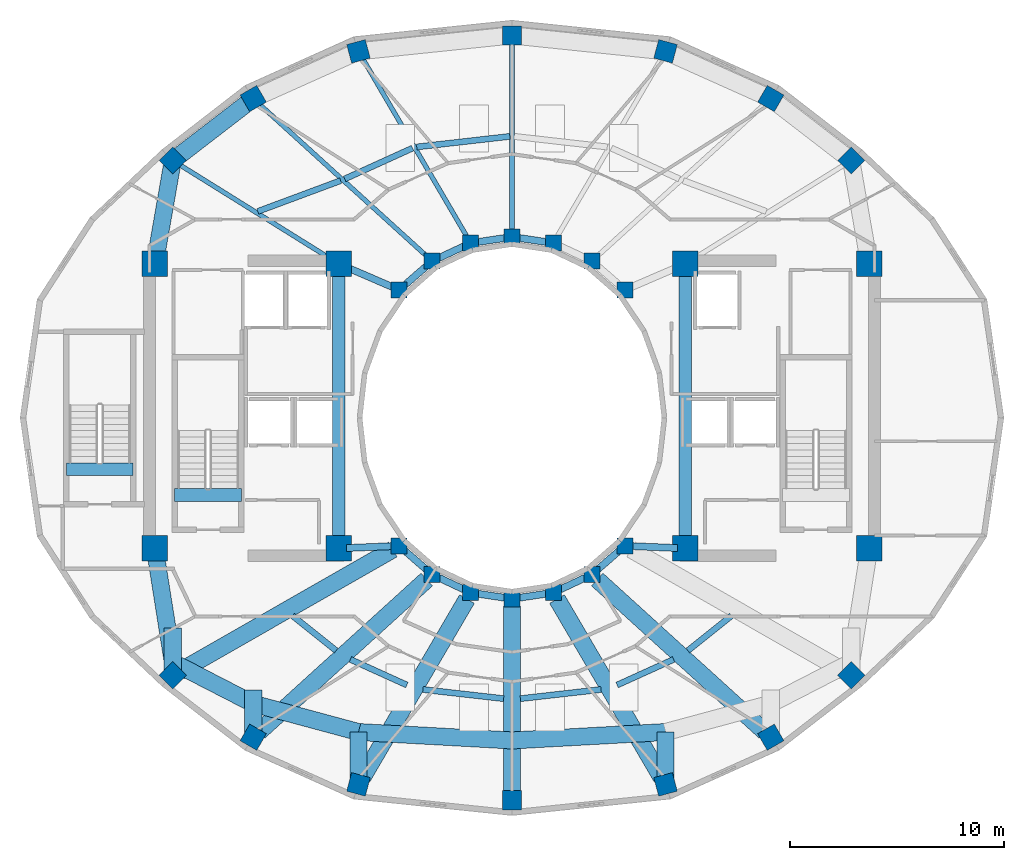
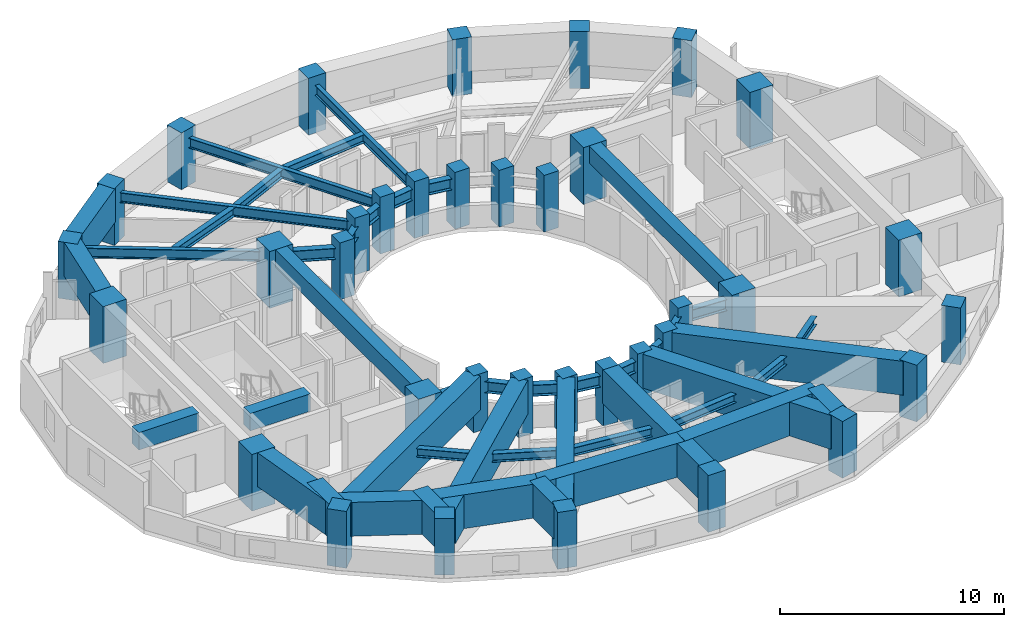
# One storey, part 1 of 9: 47 beams, 36 columns.
"""IFC4 building model written with IfcOpenShell, lengths in metres."""

from ifc_helpers import new_model, si_unit, direction, frame, origin, origin_2d, place, context, subcontext, project, spatial, rectangle, i_section, extrude, material, material_profile, profile_set, type_object, element, save


model = new_model("IFC4")

# Units and contexts
model_context = context("Model", 3, precision=1e-05, world=origin(), true_north=direction((0.0, 1.0)))
body_context = subcontext(model_context, "Body", "Model", "MODEL_VIEW")
ifc_project = project(units=[si_unit("LENGTHUNIT", "METRE"), si_unit("AREAUNIT", "SQUARE_METRE"), si_unit("VOLUMEUNIT", "CUBIC_METRE"), si_unit("PLANEANGLEUNIT", "RADIAN"), si_unit("MASSUNIT", "GRAM", prefix="KILO")], contexts=[model_context])

# Site, building, storey
site_placement = place(None, origin())
site = spatial("IfcSite", under=ifc_project, at=site_placement, CompositionType="ELEMENT")
building_placement = place(site_placement, origin())
building = spatial("IfcBuilding", under=site, at=building_placement, Name="Solvane Sanctuary Tower", CompositionType="ELEMENT")
storey_placement = place(building_placement, frame((0.0, 0.0, 187.0)))
storey = spatial("IfcBuildingStorey", under=building, at=storey_placement, Name="L57", CompositionType="ELEMENT", Elevation=187.0)

# Columns
ifc_material_1 = material(Name="Concrete C50/60", Category="concrete")
ifc_material_profile_1 = material_profile(ifc_material_1, rectangle(XDim=0.75, YDim=0.75, at=origin_2d()), Name="RC750X750")
ifc_profile_set_1 = profile_set([ifc_material_profile_1], Name="Concrete C50/60")
column_type_1 = type_object("IfcColumnType", Name="Column C-RING-Z3 RC750X750", PredefinedType="COLUMN", material=ifc_profile_set_1)
for number, where, z_axis, x_axis, name in (
    (1, (37.27490234375, 28.982177734375, 0.0), (0.0, 0.0, 1.0), (1.0, 0.0, 0.0), "L57 Inner Light-Well Ring Column IC01"),
    (2, (35.72998046875, 30.32666015625, 0.0), (0.0, 0.0, 1.0), (1.0, 0.0, 0.0), "L57 Inner Light-Well Ring Column IC02"),
    (3, (33.930908203125, 31.171630859375, 0.0), (0.0, 0.0, 1.0), (1.0, 0.0, 0.0), "L57 Inner Light-Well Ring Column IC03"),
    (4, (32.0, 31.4599609375, 0.0), (0.0, 0.0, 1.0), (1.0, 0.0, 0.0), "L57 Inner Light-Well Ring Column IC04"),
    (5, (30.069091796875, 31.171630859375, 0.0), (0.0, 0.0, 1.0), (1.0, 0.0, 0.0), "L57 Inner Light-Well Ring Column IC05"),
    (6, (28.27001953125, 30.32666015625, 0.0), (0.0, 0.0, 1.0), (1.0, 0.0, 0.0), "L57 Inner Light-Well Ring Column IC06"),
    (7, (26.72509765625, 28.982177734375, 0.0), (0.0, 0.0, 1.0), (1.0, 0.0, 0.0), "L57 Inner Light-Well Ring Column IC07"),
    (8, (26.72509765625, 17.017822265625, 0.0), (0.0, 0.0, 1.0), (1.0, 0.0, 0.0), "L57 Inner Light-Well Ring Column IC08"),
    (9, (28.27001953125, 15.67333984375, 0.0), (0.0, 0.0, 1.0), (1.0, 0.0, 0.0), "L57 Inner Light-Well Ring Column IC09"),
    (10, (30.069091796875, 14.828369140625, 0.0), (0.0, 0.0, 1.0), (1.0, 0.0, 0.0), "L57 Inner Light-Well Ring Column IC10"),
    (11, (32.0, 14.5400390625, 0.0), (0.0, 0.0, 1.0), (1.0, 0.0, 0.0), "L57 Inner Light-Well Ring Column IC11"),
    (12, (33.930908203125, 14.828369140625, 0.0), (0.0, 0.0, 1.0), (1.0, 0.0, 0.0), "L57 Inner Light-Well Ring Column IC12"),
    (13, (35.72998046875, 15.67333984375, 0.0), (0.0, 0.0, 1.0), (1.0, 0.0, 0.0), "L57 Inner Light-Well Ring Column IC13"),
    (14, (37.27490234375, 17.017822265625, 0.0), (0.0, 0.0, 1.0), (1.0, 0.0, 0.0), "L57 Inner Light-Well Ring Column IC14"),
):
    element("IfcColumn", number, at=place(storey_placement, frame(where, z_axis=z_axis, x_axis=x_axis)), inside=storey, type_object=column_type_1, Name=name, PredefinedType="COLUMN", context=body_context, shape_type="SweptSolid", body=[
        extrude(rectangle(XDim=0.75, YDim=0.75, at=origin_2d()), origin(), (0.0, 0.0, 1.0), 3.10009765625),
    ])
ifc_material_2 = material(Name="Concrete C70/85", Category="concrete")
ifc_material_profile_2 = material_profile(ifc_material_2, rectangle(XDim=1.199951171875, YDim=1.199951171875, at=origin_2d()), Name="RC1200X1200")
ifc_profile_set_2 = profile_set([ifc_material_profile_2], Name="Concrete C70/85")
column_type_2 = type_object("IfcColumnType", Name="Column C-TUBE-Z1 RC1200X1200", PredefinedType="COLUMN", material=ifc_profile_set_2)
for number, where, z_axis, x_axis, name in (
    (15, (15.300048828125, 16.89990234375, 0.0), (0.0, 0.0, 1.0), (1.0, 0.0, 0.0), "L57 Core Corner Column CW1"),
    (16, (23.89990234375, 16.89990234375, 0.0), (0.0, 0.0, 1.0), (1.0, 0.0, 0.0), "L57 Core Corner Column CW2"),
    (17, (23.89990234375, 30.199951171875, 0.0), (0.0, 0.0, 1.0), (1.0, 0.0, 0.0), "L57 Core Corner Column CW3"),
    (18, (15.300048828125, 30.199951171875, 0.0), (0.0, 0.0, 1.0), (1.0, 0.0, 0.0), "L57 Core Corner Column CW4"),
    (19, (40.10009765625, 16.89990234375, 0.0), (0.0, 0.0, 1.0), (1.0, 0.0, 0.0), "L57 Core Corner Column CE1"),
    (20, (48.699951171875, 16.89990234375, 0.0), (0.0, 0.0, 1.0), (1.0, 0.0, 0.0), "L57 Core Corner Column CE2"),
    (21, (48.699951171875, 30.199951171875, 0.0), (0.0, 0.0, 1.0), (1.0, 0.0, 0.0), "L57 Core Corner Column CE3"),
    (22, (40.10009765625, 30.199951171875, 0.0), (0.0, 0.0, 1.0), (1.0, 0.0, 0.0), "L57 Core Corner Column CE4"),
):
    element("IfcColumn", number, at=place(storey_placement, frame(where, z_axis=z_axis, x_axis=x_axis)), inside=storey, type_object=column_type_2, Name=name, PredefinedType="COLUMN", context=body_context, shape_type="SweptSolid", body=[
        extrude(rectangle(XDim=1.199951171875, YDim=1.199951171875, at=origin_2d()), origin(), (0.0, 0.0, 1.0), 3.10009765625),
    ])
ifc_material_3 = material(Name="Concrete C60/75", Category="concrete")
ifc_material_profile_3 = material_profile(ifc_material_3, rectangle(XDim=0.89990234375, YDim=0.89990234375, at=origin_2d()), Name="RC900X900")
ifc_profile_set_3 = profile_set([ifc_material_profile_3], Name="Concrete C60/75")
column_type_3 = type_object("IfcColumnType", Name="Column C-TUBE-Z3 RC900X900", PredefinedType="COLUMN", material=ifc_profile_set_3)
for number, where, z_axis, x_axis, name in (
    (23, (47.856689453125, 35.031005859375, 0.0), (0.0, 0.0, 1.0), (0.707106781187, 0.707106781187, 0.0), "L57 Perimeter Tube Column TC01"),
    (24, (44.09814453125, 37.927978515625, 0.0), (0.0, 0.0, 1.0), (0.5, 0.866025403784, 0.0), "L57 Perimeter Tube Column TC02"),
    (25, (39.17822265625, 40.134521484375, 0.0), (0.0, 0.0, 1.0), (0.258819045103, 0.965925826289, 0.0), "L57 Perimeter Tube Column TC03"),
    (26, (32.0, 40.8798828125, 0.0), (0.0, 0.0, 1.0), (0.0, 1.0, 0.0), "L57 Perimeter Tube Column TC04"),
    (27, (24.82177734375, 40.134521484375, 0.0), (0.0, 0.0, 1.0), (-0.258819045103, 0.965925826289, 0.0), "L57 Perimeter Tube Column TC05"),
    (28, (19.90185546875, 37.927978515625, 0.0), (0.0, 0.0, 1.0), (-0.5, 0.866025403784, 0.0), "L57 Perimeter Tube Column TC06"),
    (29, (16.143310546875, 35.031005859375, 0.0), (0.0, 0.0, 1.0), (-0.707106781187, 0.707106781187, 0.0), "L57 Perimeter Tube Column TC07"),
    (30, (16.143310546875, 10.968994140625, 0.0), (0.0, 0.0, 1.0), (-0.707106781187, -0.707106781187, 0.0), "L57 Perimeter Tube Column TC08"),
    (31, (19.90185546875, 8.072021484375, 0.0), (0.0, 0.0, 1.0), (-0.5, -0.866025403784, 0.0), "L57 Perimeter Tube Column TC09"),
    (32, (24.82177734375, 5.865478515625, 0.0), (0.0, 0.0, 1.0), (-0.258819045103, -0.965925826289, 0.0), "L57 Perimeter Tube Column TC10"),
    (33, (32.0, 5.1201171875, 0.0), (0.0, 0.0, 1.0), (0.0, -1.0, 0.0), "L57 Perimeter Tube Column TC11"),
    (34, (39.17822265625, 5.865478515625, 0.0), (0.0, 0.0, 1.0), (0.258819045103, -0.965925826289, 0.0), "L57 Perimeter Tube Column TC12"),
    (35, (44.09814453125, 8.072021484375, 0.0), (0.0, 0.0, 1.0), (0.5, -0.866025403784, 0.0), "L57 Perimeter Tube Column TC13"),
    (36, (47.856689453125, 10.968994140625, 0.0), (0.0, 0.0, 1.0), (0.707106781187, -0.707106781187, 0.0), "L57 Perimeter Tube Column TC14"),
):
    element("IfcColumn", number, at=place(storey_placement, frame(where, z_axis=z_axis, x_axis=x_axis)), inside=storey, type_object=column_type_3, Name=name, PredefinedType="COLUMN", context=body_context, shape_type="SweptSolid", body=[
        extrude(rectangle(XDim=0.89990234375, YDim=0.89990234375, at=origin_2d()), origin(), (0.0, 0.0, 1.0), 3.10009765625),
    ])

# Beams
ifc_material_profile_4 = material_profile(ifc_material_2, rectangle(XDim=0.60009765625, YDim=0.949951171875, at=origin_2d()), Name="RC600X950")
ifc_profile_set_4 = profile_set([ifc_material_profile_4], Name="Concrete C70/85")
beam_type_1 = type_object("IfcBeamType", Name="Beam B-COUPLE RC600X950", PredefinedType="LINTEL", material=ifc_profile_set_4)
for number, where, z_axis, x_axis, name in (
    (37, (23.89990234375, 17.35009765625, 2.625), (0.0, 1.0, 0.0), (-1.0, 0.0, 0.0), "L57 West Core Coupling Lintel"),
    (38, (40.10009765625, 17.35009765625, 2.625), (0.0, 1.0, 0.0), (-1.0, 0.0, 0.0), "L57 East Core Coupling Lintel"),
):
    element("IfcBeam", number, at=place(storey_placement, frame(where, z_axis=z_axis, x_axis=x_axis)), inside=storey, type_object=beam_type_1, Name=name, PredefinedType="LINTEL", context=body_context, shape_type="SweptSolid", body=[
        extrude(rectangle(XDim=0.60009765625, YDim=0.949951171875, at=origin_2d()), origin(), (0.0, 0.0, 1.0), 12.39990234375),
    ])
for number, where, z_axis, x_axis, name in (
    (39, (16.22998046875, 19.399169921875, 2.625), (1.0, 0.0, 0.0), (0.0, 1.0, 0.0), "L57 ST-1 Stair Floor Landing Trimmer"),
    (40, (11.169921875, 20.59912109375, 2.625), (1.0, 0.0, 0.0), (0.0, 1.0, 0.0), "L57 ST-3 Stair Floor Landing Trimmer"),
):
    element("IfcBeam", number, at=place(storey_placement, frame(where, z_axis=z_axis, x_axis=x_axis)), inside=storey, type_object=beam_type_1, Name=name, PredefinedType="LINTEL", context=body_context, shape_type="SweptSolid", body=[
        extrude(rectangle(XDim=0.60009765625, YDim=0.949951171875, at=origin_2d()), origin(), (0.0, 0.0, 1.0), 3.1201171875),
    ])
ifc_material_4 = material(Name="Steel ASTM A992 Grade 50", Category="steel")
ifc_material_profile_5 = material_profile(ifc_material_4, i_section(OverallWidth=0.214111328125, OverallDepth=0.549072265625, WebThickness=0.0146484375, FlangeThickness=0.023681640625, FilletRadius=0.014892578125, at=origin_2d()), Name="W21X93")
ifc_profile_set_5 = profile_set([ifc_material_profile_5], Name="Steel ASTM A992 Grade 50")
beam_type_2 = type_object("IfcBeamType", Name="Beam B-RAD-Z3 W21X93", PredefinedType="JOIST", material=ifc_profile_set_5)
beam_1_placement = place(storey_placement, frame((32.0, 31.739990234375, 2.323486328125), z_axis=(0.0, 1.0, 0.0), x_axis=(-1.0, 0.0, 0.0)))
element("IfcBeam", 41, at=beam_1_placement, inside=storey, type_object=beam_type_2, Name="L57 Radial Composite Floor Beam 04", PredefinedType="JOIST", context=body_context, shape_type="SweptSolid", body=[
    extrude(i_section(OverallWidth=0.214111328125, OverallDepth=0.549072265625, WebThickness=0.0146484375, FlangeThickness=0.023681640625, FilletRadius=0.014892578125, at=origin_2d()), origin(), (0.0, 0.0, 1.0), 8.860107421875),
])
beam_2_placement = place(storey_placement, frame((29.927734375, 31.413330078125, 2.323486328125), z_axis=(-0.505243742555, 0.862976686017, 0.0), x_axis=(-0.862976686017, -0.505243742555, 0.0)))
element("IfcBeam", 42, at=beam_2_placement, inside=storey, type_object=beam_type_2, Name="L57 Radial Composite Floor Beam 05", PredefinedType="JOIST", context=body_context, shape_type="SweptSolid", body=[
    extrude(i_section(OverallWidth=0.214111328125, OverallDepth=0.549072265625, WebThickness=0.0146484375, FlangeThickness=0.023681640625, FilletRadius=0.014892578125, at=origin_2d()), origin(), (0.0, 0.0, 1.0), 9.826171875),
])
beam_3_placement = place(storey_placement, frame((28.062744140625, 30.514892578125, 2.323486328125), z_axis=(-0.74020423772, 0.672382098558, 0.0), x_axis=(-0.672382098558, -0.74020423772, 0.0)))
element("IfcBeam", 43, at=beam_3_placement, inside=storey, type_object=beam_type_2, Name="L57 Radial Composite Floor Beam 06", PredefinedType="JOIST", context=body_context, shape_type="SweptSolid", body=[
    extrude(i_section(OverallWidth=0.214111328125, OverallDepth=0.549072265625, WebThickness=0.0146484375, FlangeThickness=0.023681640625, FilletRadius=0.014892578125, at=origin_2d()), origin(), (0.0, 0.0, 1.0), 10.7451171875),
])
beam_4_placement = place(storey_placement, frame((23.594482421875, 30.390380859375, 2.323486328125), z_axis=(-0.84882685523, 0.528670946658, 0.0), x_axis=(-0.528670946658, -0.84882685523, 0.0)))
element("IfcBeam", 44, at=beam_4_placement, inside=storey, type_object=beam_type_2, Name="L57 Radial Composite Floor Beam 07", PredefinedType="JOIST", context=body_context, shape_type="SweptSolid", body=[
    extrude(i_section(OverallWidth=0.214111328125, OverallDepth=0.549072265625, WebThickness=0.0146484375, FlangeThickness=0.023681640625, FilletRadius=0.014892578125, at=origin_2d()), origin(), (0.0, 0.0, 1.0), 8.498046875),
])
ifc_material_profile_6 = material_profile(ifc_material_4, i_section(OverallWidth=0.324951171875, OverallDepth=0.615966796875, WebThickness=0.013916015625, FlangeThickness=0.021484375, FilletRadius=0.01611328125, at=origin_2d()), Name="W24X117")
ifc_profile_set_6 = profile_set([ifc_material_profile_6], Name="Steel ASTM A992 Grade 50")
beam_type_3 = type_object("IfcBeamType", Name="Beam B-RING-IN2 W24X117", PredefinedType="BEAM", material=ifc_profile_set_6)
beam_5_placement = place(storey_placement, frame((24.230712890625, 30.0576171875, 2.2900390625), z_axis=(0.918264067649, -0.395968561966, 0.0), x_axis=(0.395968561966, 0.918264067649, 0.0)))
element("IfcBeam", 45, at=beam_5_placement, inside=storey, type_object=beam_type_3, Name="L57 Inner Light-Well Ring Beam CW3-IC07", PredefinedType="BEAM", context=body_context, shape_type="SweptSolid", body=[
    extrude(i_section(OverallWidth=0.324951171875, OverallDepth=0.615966796875, WebThickness=0.013916015625, FlangeThickness=0.021484375, FilletRadius=0.01611328125, at=origin_2d()), origin(), (0.0, 0.0, 1.0), 2.371337890625),
])
beam_6_placement = place(storey_placement, frame((26.9853515625, 29.20849609375, 2.2900390625), z_axis=(0.754311313851, 0.656516901379, 0.0), x_axis=(-0.656516901379, 0.754311313851, 0.0)))
element("IfcBeam", 46, at=beam_6_placement, inside=storey, type_object=beam_type_3, Name="L57 Inner Light-Well Ring Beam IC07-IC06", PredefinedType="BEAM", context=body_context, shape_type="SweptSolid", body=[
    extrude(i_section(OverallWidth=0.324951171875, OverallDepth=0.615966796875, WebThickness=0.013916015625, FlangeThickness=0.021484375, FilletRadius=0.01611328125, at=origin_2d()), origin(), (0.0, 0.0, 1.0), 1.358154296875),
])
beam_7_placement = place(storey_placement, frame((28.582275390625, 30.473388671875, 2.2900390625), z_axis=(0.9051808128, 0.425026700502, 0.0), x_axis=(-0.425026700502, 0.9051808128, 0.0)))
element("IfcBeam", 47, at=beam_7_placement, inside=storey, type_object=beam_type_3, Name="L57 Inner Light-Well Ring Beam IC06-IC05", PredefinedType="BEAM", context=body_context, shape_type="SweptSolid", body=[
    extrude(i_section(OverallWidth=0.324951171875, OverallDepth=0.615966796875, WebThickness=0.013916015625, FlangeThickness=0.021484375, FilletRadius=0.01611328125, at=origin_2d()), origin(), (0.0, 0.0, 1.0), 1.297607421875),
])
for number, where, z_axis, x_axis, name in (
    (48, (30.410400390625, 31.22265625, 2.2900390625), (0.989019905763, 0.147782360259, 0.0), (-0.147782360259, 0.989019905763, 0.0), "L57 Inner Light-Well Ring Beam IC05-IC04"),
    (49, (32.34130859375, 31.4091796875, 2.2900390625), (0.989019905763, -0.147782360259, 0.0), (0.147782360259, 0.989019905763, 0.0), "L57 Inner Light-Well Ring Beam IC04-IC03"),
):
    element("IfcBeam", number, at=place(storey_placement, frame(where, z_axis=z_axis, x_axis=x_axis)), inside=storey, type_object=beam_type_3, Name=name, PredefinedType="BEAM", context=body_context, shape_type="SweptSolid", body=[
        extrude(i_section(OverallWidth=0.324951171875, OverallDepth=0.615966796875, WebThickness=0.013916015625, FlangeThickness=0.021484375, FilletRadius=0.01611328125, at=origin_2d()), origin(), (0.0, 0.0, 1.0), 1.26220703125),
    ])
beam_8_placement = place(storey_placement, frame((24.259765625, 16.9150390625, 2.2900390625), z_axis=(0.999132674336, 0.041640113759, 0.0), x_axis=(-0.041640113759, 0.999132674336, 0.0)))
element("IfcBeam", 50, at=beam_8_placement, inside=storey, type_object=beam_type_3, Name="L57 Inner Light-Well Ring Beam CW2-IC08", PredefinedType="BEAM", context=body_context, shape_type="SweptSolid", body=[
    extrude(i_section(OverallWidth=0.324951171875, OverallDepth=0.615966796875, WebThickness=0.013916015625, FlangeThickness=0.021484375, FilletRadius=0.01611328125, at=origin_2d()), origin(), (0.0, 0.0, 1.0), 2.12255859375),
])
beam_9_placement = place(storey_placement, frame((26.9853515625, 16.79150390625, 2.2900390625), z_axis=(0.754311313851, -0.656516901379, 0.0), x_axis=(0.656516901379, 0.754311313851, 0.0)))
element("IfcBeam", 51, at=beam_9_placement, inside=storey, type_object=beam_type_3, Name="L57 Inner Light-Well Ring Beam IC08-IC09", PredefinedType="BEAM", context=body_context, shape_type="SweptSolid", body=[
    extrude(i_section(OverallWidth=0.324951171875, OverallDepth=0.615966796875, WebThickness=0.013916015625, FlangeThickness=0.021484375, FilletRadius=0.01611328125, at=origin_2d()), origin(), (0.0, 0.0, 1.0), 1.358154296875),
])
beam_10_placement = place(storey_placement, frame((28.582275390625, 15.526611328125, 2.2900390625), z_axis=(0.9051808128, -0.425026700502, 0.0), x_axis=(0.425026700502, 0.9051808128, 0.0)))
element("IfcBeam", 52, at=beam_10_placement, inside=storey, type_object=beam_type_3, Name="L57 Inner Light-Well Ring Beam IC09-IC10", PredefinedType="BEAM", context=body_context, shape_type="SweptSolid", body=[
    extrude(i_section(OverallWidth=0.324951171875, OverallDepth=0.615966796875, WebThickness=0.013916015625, FlangeThickness=0.021484375, FilletRadius=0.01611328125, at=origin_2d()), origin(), (0.0, 0.0, 1.0), 1.297607421875),
])
for number, where, z_axis, x_axis, name in (
    (53, (30.410400390625, 14.77734375, 2.2900390625), (0.989019905763, -0.147782360259, 0.0), (0.147782360259, 0.989019905763, 0.0), "L57 Inner Light-Well Ring Beam IC10-IC11"),
    (54, (32.34130859375, 14.5908203125, 2.2900390625), (0.989019905763, 0.147782360259, 0.0), (-0.147782360259, 0.989019905763, 0.0), "L57 Inner Light-Well Ring Beam IC11-IC12"),
):
    element("IfcBeam", number, at=place(storey_placement, frame(where, z_axis=z_axis, x_axis=x_axis)), inside=storey, type_object=beam_type_3, Name=name, PredefinedType="BEAM", context=body_context, shape_type="SweptSolid", body=[
        extrude(i_section(OverallWidth=0.324951171875, OverallDepth=0.615966796875, WebThickness=0.013916015625, FlangeThickness=0.021484375, FilletRadius=0.01611328125, at=origin_2d()), origin(), (0.0, 0.0, 1.0), 1.26220703125),
    ])
beam_11_placement = place(storey_placement, frame((34.2431640625, 14.97509765625, 2.2900390625), z_axis=(0.9051808128, 0.425026700502, 0.0), x_axis=(-0.425026700502, 0.9051808128, 0.0)))
element("IfcBeam", 55, at=beam_11_placement, inside=storey, type_object=beam_type_3, Name="L57 Inner Light-Well Ring Beam IC12-IC13", PredefinedType="BEAM", context=body_context, shape_type="SweptSolid", body=[
    extrude(i_section(OverallWidth=0.324951171875, OverallDepth=0.615966796875, WebThickness=0.013916015625, FlangeThickness=0.021484375, FilletRadius=0.01611328125, at=origin_2d()), origin(), (0.0, 0.0, 1.0), 1.297607421875),
])
beam_12_placement = place(storey_placement, frame((35.990234375, 15.89990234375, 2.2900390625), z_axis=(0.754311313851, 0.656516901379, 0.0), x_axis=(-0.656516901379, 0.754311313851, 0.0)))
element("IfcBeam", 56, at=beam_12_placement, inside=storey, type_object=beam_type_3, Name="L57 Inner Light-Well Ring Beam IC13-IC14", PredefinedType="BEAM", context=body_context, shape_type="SweptSolid", body=[
    extrude(i_section(OverallWidth=0.324951171875, OverallDepth=0.615966796875, WebThickness=0.013916015625, FlangeThickness=0.021484375, FilletRadius=0.01611328125, at=origin_2d()), origin(), (0.0, 0.0, 1.0), 1.358154296875),
])
beam_13_placement = place(storey_placement, frame((37.61962890625, 17.00341796875, 2.2900390625), z_axis=(0.999132674336, -0.041640113759, 0.0), x_axis=(0.041640113759, 0.999132674336, 0.0)))
element("IfcBeam", 57, at=beam_13_placement, inside=storey, type_object=beam_type_3, Name="L57 Inner Light-Well Ring Beam IC14-CE1", PredefinedType="BEAM", context=body_context, shape_type="SweptSolid", body=[
    extrude(i_section(OverallWidth=0.324951171875, OverallDepth=0.615966796875, WebThickness=0.013916015625, FlangeThickness=0.021484375, FilletRadius=0.01611328125, at=origin_2d()), origin(), (0.0, 0.0, 1.0), 2.12255859375),
])
ifc_material_profile_7 = material_profile(ifc_material_4, i_section(OverallWidth=0.280029296875, OverallDepth=0.462890625, WebThickness=0.0107421875, FlangeThickness=0.017333984375, FilletRadius=0.013916015625, at=origin_2d()), Name="W18X76")
ifc_profile_set_7 = profile_set([ifc_material_profile_7], Name="Steel ASTM A992 Grade 50")
beam_type_4 = type_object("IfcBeamType", Name="Beam B-SEC-JOIST W18X76", PredefinedType="JOIST", material=ifc_profile_set_7)
beam_14_placement = place(storey_placement, frame((20.1171875, 32.651123046875, 2.366455078125), z_axis=(0.937265401165, 0.348616648741, 0.0), x_axis=(-0.348616648741, 0.937265401165, 0.0)))
element("IfcBeam", 58, at=beam_14_placement, inside=storey, type_object=beam_type_4, Name="L57 Secondary Circumferential Joist 07-06", PredefinedType="JOIST", context=body_context, shape_type="SweptSolid", body=[
    extrude(i_section(OverallWidth=0.280029296875, OverallDepth=0.462890625, WebThickness=0.0107421875, FlangeThickness=0.017333984375, FilletRadius=0.013916015625, at=origin_2d()), origin(), (0.0, 0.0, 1.0), 4.132568359375),
])
beam_15_placement = place(storey_placement, frame((24.178955078125, 34.16943359375, 2.366455078125), z_axis=(0.910488773031, 0.413533788443, 0.0), x_axis=(-0.413533788443, 0.910488773031, 0.0)))
element("IfcBeam", 59, at=beam_15_placement, inside=storey, type_object=beam_type_4, Name="L57 Secondary Circumferential Joist 06-05", PredefinedType="JOIST", context=body_context, shape_type="SweptSolid", body=[
    extrude(i_section(OverallWidth=0.280029296875, OverallDepth=0.462890625, WebThickness=0.0107421875, FlangeThickness=0.017333984375, FilletRadius=0.013916015625, at=origin_2d()), origin(), (0.0, 0.0, 1.0), 3.485595703125),
])
beam_16_placement = place(storey_placement, frame((27.546875, 35.66455078125, 2.366455078125), z_axis=(0.993621305354, 0.112768353477, 0.0), x_axis=(-0.112768353477, 0.993621305354, 0.0)))
element("IfcBeam", 60, at=beam_16_placement, inside=storey, type_object=beam_type_4, Name="L57 Secondary Circumferential Joist 05-04", PredefinedType="JOIST", context=body_context, shape_type="SweptSolid", body=[
    extrude(i_section(OverallWidth=0.280029296875, OverallDepth=0.462890625, WebThickness=0.0107421875, FlangeThickness=0.017333984375, FilletRadius=0.013916015625, at=origin_2d()), origin(), (0.0, 0.0, 1.0), 4.379638671875),
])
beam_17_placement = place(storey_placement, frame((21.74267578125, 13.74658203125, 2.366455078125), z_axis=(0.781005915464, -0.624523626463, 0.0), x_axis=(0.624523626463, 0.781005915464, 0.0)))
element("IfcBeam", 61, at=beam_17_placement, inside=storey, type_object=beam_type_4, Name="L57 Secondary Circumferential Joist 08-09", PredefinedType="JOIST", context=body_context, shape_type="SweptSolid", body=[
    extrude(i_section(OverallWidth=0.280029296875, OverallDepth=0.462890625, WebThickness=0.0107421875, FlangeThickness=0.017333984375, FilletRadius=0.013916015625, at=origin_2d()), origin(), (0.0, 0.0, 1.0), 2.60546875),
])
beam_18_placement = place(storey_placement, frame((24.445556640625, 11.709228515625, 2.366455078125), z_axis=(0.9105221081, -0.413460385842, 0.0), x_axis=(0.413460385842, 0.9105221081, 0.0)))
element("IfcBeam", 62, at=beam_18_placement, inside=storey, type_object=beam_type_4, Name="L57 Secondary Circumferential Joist 09-10", PredefinedType="JOIST", context=body_context, shape_type="SweptSolid", body=[
    extrude(i_section(OverallWidth=0.280029296875, OverallDepth=0.462890625, WebThickness=0.0107421875, FlangeThickness=0.017333984375, FilletRadius=0.013916015625, at=origin_2d()), origin(), (0.0, 0.0, 1.0), 2.89990234375),
])
for number, where, z_axis, x_axis, name in (
    (63, (27.837890625, 10.30224609375, 2.366455078125), (0.99362361907, -0.112747965065, 0.0), (0.112747965065, 0.99362361907, 0.0), "L57 Secondary Circumferential Joist 10-11"),
    (64, (32.392578125, 9.87451171875, 2.366455078125), (0.99362361907, 0.112747965065, 0.0), (-0.112747965065, 0.99362361907, 0.0), "L57 Secondary Circumferential Joist 11-12"),
):
    element("IfcBeam", number, at=place(storey_placement, frame(where, z_axis=z_axis, x_axis=x_axis)), inside=storey, type_object=beam_type_4, Name=name, PredefinedType="JOIST", context=body_context, shape_type="SweptSolid", body=[
        extrude(i_section(OverallWidth=0.280029296875, OverallDepth=0.462890625, WebThickness=0.0107421875, FlangeThickness=0.017333984375, FilletRadius=0.013916015625, at=origin_2d()), origin(), (0.0, 0.0, 1.0), 3.793701171875),
    ])
beam_19_placement = place(storey_placement, frame((36.9140625, 10.510009765625, 2.366455078125), z_axis=(0.910458712162, 0.413599967901, 0.0), x_axis=(-0.413599967901, 0.910458712162, 0.0)))
element("IfcBeam", 65, at=beam_19_placement, inside=storey, type_object=beam_type_4, Name="L57 Secondary Circumferential Joist 12-13", PredefinedType="JOIST", context=body_context, shape_type="SweptSolid", body=[
    extrude(i_section(OverallWidth=0.280029296875, OverallDepth=0.462890625, WebThickness=0.0107421875, FlangeThickness=0.017333984375, FilletRadius=0.013916015625, at=origin_2d()), origin(), (0.0, 0.0, 1.0), 2.900146484375),
])
beam_20_placement = place(storey_placement, frame((40.22265625, 12.119384765625, 2.366455078125), z_axis=(0.780969364895, 0.624569332497, 0.0), x_axis=(-0.624569332497, 0.780969364895, 0.0)))
element("IfcBeam", 66, at=beam_20_placement, inside=storey, type_object=beam_type_4, Name="L57 Secondary Circumferential Joist 13-14", PredefinedType="JOIST", context=body_context, shape_type="SweptSolid", body=[
    extrude(i_section(OverallWidth=0.280029296875, OverallDepth=0.462890625, WebThickness=0.0107421875, FlangeThickness=0.017333984375, FilletRadius=0.013916015625, at=origin_2d()), origin(), (0.0, 0.0, 1.0), 2.605224609375),
])
ifc_material_profile_8 = material_profile(ifc_material_2, rectangle(XDim=0.800048828125, YDim=1.85009765625, at=origin_2d()), Name="RC800X1850")
ifc_profile_set_8 = profile_set([ifc_material_profile_8], Name="Concrete C70/85")
beam_type_5 = type_object("IfcBeamType", Name="Beam B-XFER-BLK RC800X1850", PredefinedType="BEAM", material=ifc_profile_set_8)
beam_21_placement = place(storey_placement, frame((26.425537109375, 16.8466796875, 2.175048828125), z_axis=(-0.868163254615, -0.496278715377, 0.0), x_axis=(0.496278715377, -0.868163254615, 0.0)))
element("IfcBeam", 67, at=beam_21_placement, inside=storey, type_object=beam_type_5, Name="L57 Block-Shift Radial Transfer Girder 08A", PredefinedType="BEAM", context=body_context, shape_type="SweptSolid", body=[
    extrude(rectangle(XDim=0.800048828125, YDim=1.85009765625, at=origin_2d()), origin(), (0.0, 0.0, 1.0), 11.4736328125),
])
beam_22_placement = place(storey_placement, frame((16.143310546875, 11.018798828125, 2.175048828125), z_axis=(0.0, 1.0, 0.0), x_axis=(-1.0, 0.0, 0.0)))
element("IfcBeam", 68, at=beam_22_placement, inside=storey, type_object=beam_type_5, Name="L57 Block-Shift Transfer Tie 08B", PredefinedType="BEAM", context=body_context, shape_type="SweptSolid", body=[
    extrude(rectangle(XDim=0.800048828125, YDim=1.85009765625, at=origin_2d()), origin(), (0.0, 0.0, 1.0), 2.150146484375),
])
beam_23_placement = place(storey_placement, frame((28.0146484375, 15.44140625, 2.175048828125), z_axis=(-0.740204975918, -0.672381285898, 0.0), x_axis=(0.672381285898, -0.740204975918, 0.0)))
element("IfcBeam", 69, at=beam_23_placement, inside=storey, type_object=beam_type_5, Name="L57 Block-Shift Radial Transfer Girder 09A", PredefinedType="BEAM", context=body_context, shape_type="SweptSolid", body=[
    extrude(rectangle(XDim=0.800048828125, YDim=1.85009765625, at=origin_2d()), origin(), (0.0, 0.0, 1.0), 10.590087890625),
])
beam_24_placement = place(storey_placement, frame((19.90185546875, 8.1220703125, 2.175048828125), z_axis=(0.0, 1.0, 0.0), x_axis=(-1.0, 0.0, 0.0)))
element("IfcBeam", 70, at=beam_24_placement, inside=storey, type_object=beam_type_5, Name="L57 Block-Shift Transfer Tie 09B", PredefinedType="BEAM", context=body_context, shape_type="SweptSolid", body=[
    extrude(rectangle(XDim=0.800048828125, YDim=1.85009765625, at=origin_2d()), origin(), (0.0, 0.0, 1.0), 2.14990234375),
])
beam_25_placement = place(storey_placement, frame((29.89501953125, 14.530517578125, 2.175048828125), z_axis=(-0.50527045732, -0.862961044868, 0.0), x_axis=(0.862961044868, -0.50527045732, 0.0)))
element("IfcBeam", 71, at=beam_25_placement, inside=storey, type_object=beam_type_5, Name="L57 Block-Shift Radial Transfer Girder 10A", PredefinedType="BEAM", context=body_context, shape_type="SweptSolid", body=[
    extrude(rectangle(XDim=0.800048828125, YDim=1.85009765625, at=origin_2d()), origin(), (0.0, 0.0, 1.0), 9.6708984375),
])
beam_26_placement = place(storey_placement, frame((24.82177734375, 5.915283203125, 2.175048828125), z_axis=(0.0, 1.0, 0.0), x_axis=(-1.0, 0.0, 0.0)))
element("IfcBeam", 72, at=beam_26_placement, inside=storey, type_object=beam_type_5, Name="L57 Block-Shift Transfer Tie 10B", PredefinedType="BEAM", context=body_context, shape_type="SweptSolid", body=[
    extrude(rectangle(XDim=0.800048828125, YDim=1.85009765625, at=origin_2d()), origin(), (0.0, 0.0, 1.0), 2.39794921875),
])
beam_27_placement = place(storey_placement, frame((32.0, 14.195068359375, 2.175048828125), z_axis=(0.0, -1.0, 0.0), x_axis=(1.0, 0.0, 0.0)))
element("IfcBeam", 73, at=beam_27_placement, inside=storey, type_object=beam_type_5, Name="L57 Block-Shift Radial Transfer Girder 11A", PredefinedType="BEAM", context=body_context, shape_type="SweptSolid", body=[
    extrude(rectangle(XDim=0.800048828125, YDim=1.85009765625, at=origin_2d()), origin(), (0.0, 0.0, 1.0), 8.7451171875),
])
beam_28_placement = place(storey_placement, frame((34.10498046875, 14.530517578125, 2.175048828125), z_axis=(0.50527045732, -0.862961044868, 0.0), x_axis=(0.862961044868, 0.50527045732, 0.0)))
element("IfcBeam", 74, at=beam_28_placement, inside=storey, type_object=beam_type_5, Name="L57 Block-Shift Radial Transfer Girder 12A", PredefinedType="BEAM", context=body_context, shape_type="SweptSolid", body=[
    extrude(rectangle(XDim=0.800048828125, YDim=1.85009765625, at=origin_2d()), origin(), (0.0, 0.0, 1.0), 9.6708984375),
])
beam_29_placement = place(storey_placement, frame((39.17822265625, 5.915283203125, 2.175048828125), z_axis=(0.0, 1.0, 0.0), x_axis=(-1.0, 0.0, 0.0)))
element("IfcBeam", 75, at=beam_29_placement, inside=storey, type_object=beam_type_5, Name="L57 Block-Shift Transfer Tie 12B", PredefinedType="BEAM", context=body_context, shape_type="SweptSolid", body=[
    extrude(rectangle(XDim=0.800048828125, YDim=1.85009765625, at=origin_2d()), origin(), (0.0, 0.0, 1.0), 2.39794921875),
])
beam_30_placement = place(storey_placement, frame((35.9853515625, 15.44140625, 2.175048828125), z_axis=(0.740204975918, -0.672381285898, 0.0), x_axis=(0.672381285898, 0.740204975918, 0.0)))
element("IfcBeam", 76, at=beam_30_placement, inside=storey, type_object=beam_type_5, Name="L57 Block-Shift Radial Transfer Girder 13A", PredefinedType="BEAM", context=body_context, shape_type="SweptSolid", body=[
    extrude(rectangle(XDim=0.800048828125, YDim=1.85009765625, at=origin_2d()), origin(), (0.0, 0.0, 1.0), 10.590087890625),
])
beam_31_placement = place(storey_placement, frame((15.36181640625, 30.5546875, 2.175048828125), z_axis=(0.171982816413, 0.98509994968, 0.0), x_axis=(-0.98509994968, 0.171982816413, 0.0)))
element("IfcBeam", 77, at=beam_31_placement, inside=storey, type_object=beam_type_5, Name="L57 Perimeter Step Transfer Ring CW4-NTC07", PredefinedType="BEAM", context=body_context, shape_type="SweptSolid", body=[
    extrude(rectangle(XDim=0.800048828125, YDim=1.85009765625, at=origin_2d()), origin(), (0.0, 0.0, 1.0), 4.5439453125),
])
beam_32_placement = place(storey_placement, frame((16.143310546875, 35.031005859375, 2.175048828125), z_axis=(0.792034554649, 0.610476260179, 0.0), x_axis=(-0.610476260179, 0.792034554649, 0.0)))
element("IfcBeam", 78, at=beam_32_placement, inside=storey, type_object=beam_type_5, Name="L57 Perimeter Step Transfer Ring NTC07-NTC06", PredefinedType="BEAM", context=body_context, shape_type="SweptSolid", body=[
    extrude(rectangle(XDim=0.800048828125, YDim=1.85009765625, at=origin_2d()), origin(), (0.0, 0.0, 1.0), 4.745361328125),
])
beam_33_placement = place(storey_placement, frame((15.356201171875, 16.54443359375, 2.175048828125), z_axis=(0.156393503441, -0.987694827404, 0.0), x_axis=(0.987694827404, 0.156393503441, 0.0)))
element("IfcBeam", 79, at=beam_33_placement, inside=storey, type_object=beam_type_5, Name="L57 Perimeter Step Transfer Ring CW1-NTC08", PredefinedType="BEAM", context=body_context, shape_type="SweptSolid", body=[
    extrude(rectangle(XDim=0.800048828125, YDim=1.85009765625, at=origin_2d()), origin(), (0.0, 0.0, 1.0), 5.032958984375),
])
beam_34_placement = place(storey_placement, frame((16.143310546875, 11.573486328125, 2.175048828125), z_axis=(0.889297870953, -0.457328434189, 0.0), x_axis=(0.457328434189, 0.889297870953, 0.0)))
element("IfcBeam", 80, at=beam_34_placement, inside=storey, type_object=beam_type_5, Name="L57 Perimeter Step Transfer Ring NTC08-NTC09", PredefinedType="BEAM", context=body_context, shape_type="SweptSolid", body=[
    extrude(rectangle(XDim=0.800048828125, YDim=1.85009765625, at=origin_2d()), origin(), (0.0, 0.0, 1.0), 4.226318359375),
])
beam_35_placement = place(storey_placement, frame((19.90185546875, 9.640625, 2.175048828125), z_axis=(0.965477774792, -0.260485443705, 0.0), x_axis=(0.260485443705, 0.965477774792, 0.0)))
element("IfcBeam", 81, at=beam_35_placement, inside=storey, type_object=beam_type_5, Name="L57 Perimeter Step Transfer Ring NTC09-NTC10", PredefinedType="BEAM", context=body_context, shape_type="SweptSolid", body=[
    extrude(rectangle(XDim=0.800048828125, YDim=1.85009765625, at=origin_2d()), origin(), (0.0, 0.0, 1.0), 5.095947265625),
])
for number, where, z_axis, x_axis, name in (
    (82, (24.82177734375, 8.313232421875, 2.175048828125), (0.998502279385, -0.054710127613, 0.0), (0.054710127613, 0.998502279385, 0.0), "L57 Perimeter Step Transfer Ring NTC10-NTC11"),
    (83, (32.0, 7.919921875, 2.175048828125), (0.998502279385, 0.054710127613, 0.0), (-0.054710127613, 0.998502279385, 0.0), "L57 Perimeter Step Transfer Ring NTC11-NTC12"),
):
    element("IfcBeam", number, at=place(storey_placement, frame(where, z_axis=z_axis, x_axis=x_axis)), inside=storey, type_object=beam_type_5, Name=name, PredefinedType="BEAM", context=body_context, shape_type="SweptSolid", body=[
        extrude(rectangle(XDim=0.800048828125, YDim=1.85009765625, at=origin_2d()), origin(), (0.0, 0.0, 1.0), 7.18896484375),
    ])

save(model, "model.ifc")
